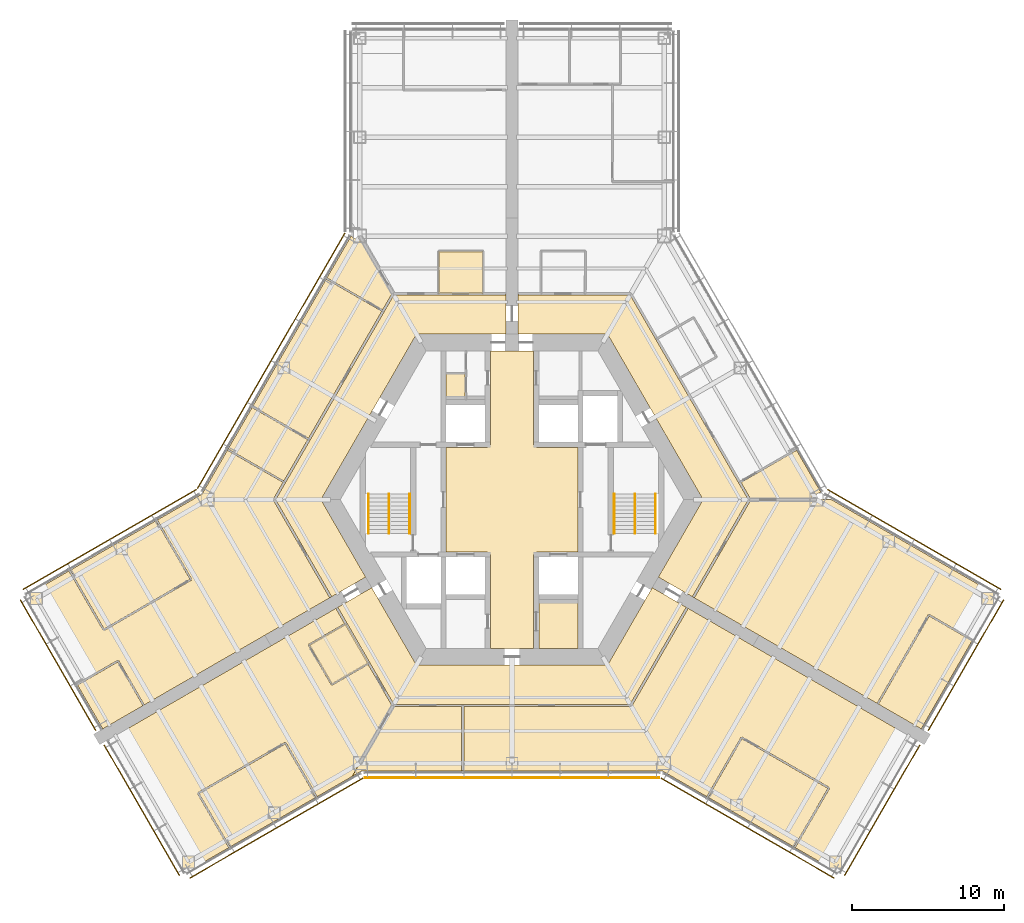
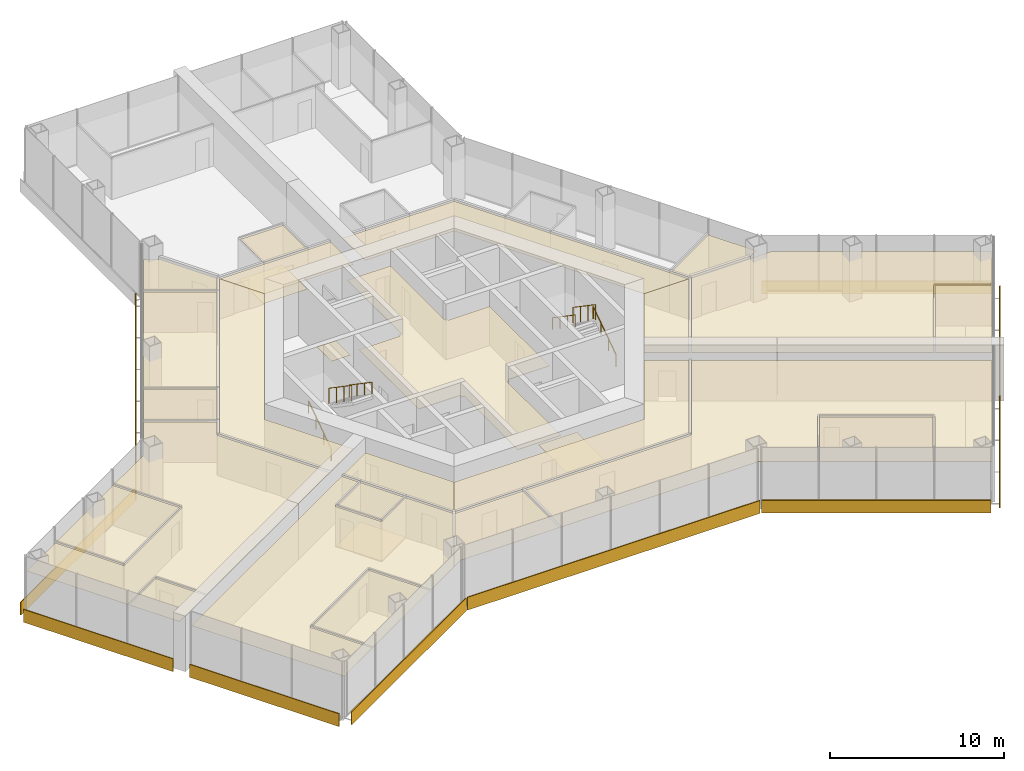
# One storey, part 17 of 18: 27 coverings, 10 shading devices, 6 railings.
"""IFC4 building model written with IfcOpenShell, lengths in metres."""

from ifc_helpers import new_model, si_unit, direction, frame, origin, origin_2d, place, context, subcontext, project, spatial, polyline, rectangle, circle, outline, extrude, material, layer, layer_set, type_object, element, save


model = new_model("IFC4")

# Units and contexts
model_context = context("Model", 3, precision=1e-05, world=origin(), true_north=direction((0.0, 1.0)))
body_context = subcontext(model_context, "Body", "Model", "MODEL_VIEW")
ifc_project = project(units=[si_unit("LENGTHUNIT", "METRE"), si_unit("AREAUNIT", "SQUARE_METRE"), si_unit("VOLUMEUNIT", "CUBIC_METRE"), si_unit("PLANEANGLEUNIT", "RADIAN"), si_unit("MASSUNIT", "GRAM", prefix="KILO")], contexts=[model_context])

# Site, building, storey
site_placement = place(None, origin())
site = spatial("IfcSite", under=ifc_project, at=site_placement, CompositionType="ELEMENT")
building_placement = place(site_placement, origin())
building = spatial("IfcBuilding", under=site, at=building_placement, Name="Kasaneha Research Tower", CompositionType="ELEMENT")
storey_placement = place(building_placement, frame((0.0, 0.0, 80.699951171875)))
storey = spatial("IfcBuildingStorey", under=building, at=storey_placement, Name="L20", CompositionType="ELEMENT", Elevation=80.699951171875)

# Covering
ifc_material_1 = material(Name="Aluminium panel ceiling", Category="aluminium")
ifc_layer_1 = layer(ifc_material_1, 0.0400390625)
ifc_layer_set_1 = layer_set([ifc_layer_1], Name="Lift lobby ceiling 40")
covering_type_1 = type_object("IfcCoveringType", Name="Lift lobby ceiling 40", PredefinedType="CEILING", material=ifc_layer_set_1)
covering_1_placement = place(storey_placement, frame((0.0, 0.0, 2.699951171875)))
element("IfcCovering", 1, at=covering_1_placement, inside=storey, type_object=covering_type_1, Name="Ceiling L20-01", PredefinedType="CEILING", context=body_context, shape_type="SweptSolid", body=[
    extrude(outline(polyline([(1.425048828125, 9.77490234375), (1.425048828125, 3.60009765625), (1.60009765625, 3.60009765625), (1.60009765625, 3.425048828125), (4.324951171875, 3.425048828125), (4.324951171875, -3.425048828125), (1.60009765625, -3.425048828125), (1.60009765625, -3.60009765625), (1.425048828125, -3.60009765625), (1.425048828125, -9.77490234375), (-1.425048828125, -9.77490234375), (-1.425048828125, -3.60009765625), (-1.60009765625, -3.60009765625), (-1.60009765625, -3.425048828125), (-4.324951171875, -3.425048828125), (-4.324951171875, 3.425048828125), (-1.60009765625, 3.425048828125), (-1.60009765625, 3.60009765625), (-1.425048828125, 3.60009765625), (-1.425048828125, 9.77490234375), (1.425048828125, 9.77490234375)])), origin(), (0.0, 0.0, 1.0), 0.0400390625),
])

# Railings
ifc_material_2 = material(Name="Steel", Category="steel")
railing_type_1 = type_object("IfcRailingType", Name="Stair balustrade 1100", PredefinedType="GUARDRAIL", material=ifc_material_2)
for number, where, name in (
    (2, (8.074951171875, 0.375, 2.12744140625), "Stair 1 balustrade L20"),
    (3, (-8.074951171875, 0.375, 2.12744140625), "Stair 2 balustrade L20"),
):
    element("IfcRailing", number, at=place(storey_placement, frame(where)), inside=storey, type_object=railing_type_1, Name=name, PredefinedType="GUARDRAIL", context=body_context, shape_type="SweptSolid", body=[
        extrude(circle(Radius=0.02392578125, at=origin_2d()), frame((0.0, 0.0, 1.076171875), z_axis=(0.0, -0.826240473404, 0.563317565952), x_axis=(1.0, 0.0, 0.0)), (0.0, 0.0, 1.0), 3.14697265625),
        extrude(circle(Radius=0.02099609375, at=origin_2d()), origin(), (0.0, 0.0, 1.0), 1.052001953125),
        extrude(circle(Radius=0.02099609375, at=origin_2d()), frame((0.0, -0.86669921875, 0.5908203125)), (0.0, 0.0, 1.0), 1.052001953125),
        extrude(circle(Radius=0.02099609375, at=origin_2d()), frame((0.0, -1.7333984375, 1.181884765625)), (0.0, 0.0, 1.0), 1.052001953125),
        extrude(circle(Radius=0.02099609375, at=origin_2d()), frame((0.0, -2.60009765625, 1.772705078125)), (0.0, 0.0, 1.0), 1.052001953125),
    ])
ifc_material_3 = material(Name="Steel", Category="steel")
railing_type_2 = type_object("IfcRailingType", Name="Stair handrail 850", PredefinedType="HANDRAIL", material=ifc_material_3)
railing_1_placement = place(storey_placement, frame((9.425048828125, -2.22509765625, 0.17724609375)))
element("IfcRailing", 4, at=railing_1_placement, inside=storey, type_object=railing_type_2, Name="Stair 1 handrail L20", PredefinedType="HANDRAIL", context=body_context, shape_type="SweptSolid", body=[
    extrude(circle(Radius=0.02392578125, at=origin_2d()), frame((0.0, 0.0, 0.826171875), z_axis=(0.0, 0.826240473404, 0.563317565952), x_axis=(-1.0, 0.0, 0.0)), (0.0, 0.0, 1.0), 3.14697265625),
    extrude(circle(Radius=0.02099609375, at=origin_2d()), origin(), (0.0, 0.0, 1.0), 0.802001953125),
    extrude(circle(Radius=0.02099609375, at=origin_2d()), frame((0.0, 0.86669921875, 0.5908203125)), (0.0, 0.0, 1.0), 0.802001953125),
    extrude(circle(Radius=0.02099609375, at=origin_2d()), frame((0.0, 1.7333984375, 1.181884765625)), (0.0, 0.0, 1.0), 0.802001953125),
    extrude(circle(Radius=0.02099609375, at=origin_2d()), frame((0.0, 2.60009765625, 1.772705078125)), (0.0, 0.0, 1.0), 0.802001953125),
])
railing_2_placement = place(storey_placement, frame((6.72509765625, 0.375, 2.12744140625)))
element("IfcRailing", 5, at=railing_2_placement, inside=storey, type_object=railing_type_2, Name="Stair 1 handrail L20", PredefinedType="HANDRAIL", context=body_context, shape_type="SweptSolid", body=[
    extrude(circle(Radius=0.02392578125, at=origin_2d()), frame((0.0, 0.0, 0.826171875), z_axis=(0.0, -0.826240473404, 0.563317565952), x_axis=(1.0, 0.0, 0.0)), (0.0, 0.0, 1.0), 3.14697265625),
    extrude(circle(Radius=0.02099609375, at=origin_2d()), origin(), (0.0, 0.0, 1.0), 0.802001953125),
    extrude(circle(Radius=0.02099609375, at=origin_2d()), frame((0.0, -0.86669921875, 0.5908203125)), (0.0, 0.0, 1.0), 0.802001953125),
    extrude(circle(Radius=0.02099609375, at=origin_2d()), frame((0.0, -1.7333984375, 1.181884765625)), (0.0, 0.0, 1.0), 0.802001953125),
    extrude(circle(Radius=0.02099609375, at=origin_2d()), frame((0.0, -2.60009765625, 1.772705078125)), (0.0, 0.0, 1.0), 0.802001953125),
])
railing_3_placement = place(storey_placement, frame((-9.425048828125, -2.22509765625, 0.17724609375)))
element("IfcRailing", 6, at=railing_3_placement, inside=storey, type_object=railing_type_2, Name="Stair 2 handrail L20", PredefinedType="HANDRAIL", context=body_context, shape_type="SweptSolid", body=[
    extrude(circle(Radius=0.02392578125, at=origin_2d()), frame((0.0, 0.0, 0.826171875), z_axis=(0.0, 0.826240473404, 0.563317565952), x_axis=(-1.0, 0.0, 0.0)), (0.0, 0.0, 1.0), 3.14697265625),
    extrude(circle(Radius=0.02099609375, at=origin_2d()), origin(), (0.0, 0.0, 1.0), 0.802001953125),
    extrude(circle(Radius=0.02099609375, at=origin_2d()), frame((0.0, 0.86669921875, 0.5908203125)), (0.0, 0.0, 1.0), 0.802001953125),
    extrude(circle(Radius=0.02099609375, at=origin_2d()), frame((0.0, 1.7333984375, 1.181884765625)), (0.0, 0.0, 1.0), 0.802001953125),
    extrude(circle(Radius=0.02099609375, at=origin_2d()), frame((0.0, 2.60009765625, 1.772705078125)), (0.0, 0.0, 1.0), 0.802001953125),
])
railing_4_placement = place(storey_placement, frame((-6.72509765625, 0.375, 2.12744140625)))
element("IfcRailing", 7, at=railing_4_placement, inside=storey, type_object=railing_type_2, Name="Stair 2 handrail L20", PredefinedType="HANDRAIL", context=body_context, shape_type="SweptSolid", body=[
    extrude(circle(Radius=0.02392578125, at=origin_2d()), frame((0.0, 0.0, 0.826171875), z_axis=(0.0, -0.826240473404, 0.563317565952), x_axis=(1.0, 0.0, 0.0)), (0.0, 0.0, 1.0), 3.14697265625),
    extrude(circle(Radius=0.02099609375, at=origin_2d()), origin(), (0.0, 0.0, 1.0), 0.802001953125),
    extrude(circle(Radius=0.02099609375, at=origin_2d()), frame((0.0, -0.86669921875, 0.5908203125)), (0.0, 0.0, 1.0), 0.802001953125),
    extrude(circle(Radius=0.02099609375, at=origin_2d()), frame((0.0, -1.7333984375, 1.181884765625)), (0.0, 0.0, 1.0), 0.802001953125),
    extrude(circle(Radius=0.02099609375, at=origin_2d()), frame((0.0, -2.60009765625, 1.772705078125)), (0.0, 0.0, 1.0), 0.802001953125),
])

# Coverings
ifc_material_4 = material(Name="Gypsum ceiling board", Category="gypsum")
ifc_layer_2 = layer(ifc_material_4, 0.02001953125)
ifc_layer_set_2 = layer_set([ifc_layer_2], Name="Suspended ceiling 20")
covering_type_2 = type_object("IfcCoveringType", Name="Suspended ceiling 20", PredefinedType="CEILING", material=ifc_layer_set_2)
covering_2_placement = place(storey_placement, frame((0.0, 0.0, 2.800048828125)))
element("IfcCovering", 8, at=covering_2_placement, inside=storey, type_object=covering_type_2, Name="Ceiling L20-24", PredefinedType="CEILING", context=body_context, shape_type="SweptSolid", body=[
    extrude(outline(polyline([(6.278564453125, 10.875), (0.39990234375, 10.875), (0.39990234375, 11.72509765625), (0.39990234375, 12.72509765625), (0.39990234375, 13.52490234375), (0.419921875, 13.52490234375), (0.419921875, 13.449951171875), (1.89501953125, 13.449951171875), (1.904541015625, 13.449951171875), (4.8125, 13.449951171875), (4.822021484375, 13.449951171875), (7.765380859375, 13.449951171875), (9.4501953125, 10.531494140625), (9.4501953125, 10.53173828125), (10.950439453125, 7.93310546875), (10.95068359375, 7.93310546875), (14.896728515625, 1.09814453125), (14.896728515625, 1.09814453125), (15.53076171875, 0.0), (12.557373046875, 0.0), (6.278564453125, 10.875)])), origin(), (0.0, 0.0, 1.0), 0.02001953125),
])
covering_3_placement = place(storey_placement, frame((0.0, 0.0, 2.800048828125)))
element("IfcCovering", 9, at=covering_3_placement, inside=storey, type_object=covering_type_2, Name="Ceiling L20-30", PredefinedType="CEILING", context=body_context, shape_type="SweptSolid", body=[
    extrude(outline(polyline([(19.41845703125, 0.0), (15.617431640625, 0.0), (15.605712890625, 0.02001953125), (15.670654296875, 0.0576171875), (15.051513671875, 1.1298828125), (18.687255859375, 3.234130859375), (18.662109375, 3.27734375), (18.679443359375, 3.287353515625), (20.28759765625, 0.501708984375), (19.41845703125, 0.0)])), origin(), (0.0, 0.0, 1.0), 0.02001953125),
])
covering_4_placement = place(storey_placement, frame((0.0, 0.0, 2.800048828125)))
element("IfcCovering", 10, at=covering_4_placement, inside=storey, type_object=covering_type_2, Name="Ceiling L20-32", PredefinedType="CEILING", context=body_context, shape_type="SweptSolid", body=[
    extrude(outline(polyline([(-0.39990234375, 11.72509765625), (-0.39990234375, 10.875), (-6.278564453125, 10.875), (-7.765380859375, 13.449951171875), (-7.765380859375, 13.449951171875), (-4.833984375, 13.449951171875), (-4.824462890625, 13.449951171875), (-1.904541015625, 13.449951171875), (-1.89501953125, 13.449951171875), (-0.419921875, 13.449951171875), (-0.419921875, 13.52490234375), (-0.39990234375, 13.52490234375), (-0.39990234375, 12.72509765625), (-0.39990234375, 11.72509765625)])), origin(), (0.0, 0.0, 1.0), 0.02001953125),
])
covering_5_placement = place(storey_placement, frame((0.0, 0.0, 2.800048828125)))
element("IfcCovering", 11, at=covering_5_placement, inside=storey, type_object=covering_type_2, Name="Ceiling L20-33", PredefinedType="CEILING", context=body_context, shape_type="SweptSolid", body=[
    extrude(outline(polyline([(-4.774658203125, 13.60009765625), (-4.77880859375, 16.27490234375), (-1.9501953125, 16.27490234375), (-1.954345703125, 13.60009765625), (-4.774658203125, 13.60009765625)])), origin(), (0.0, 0.0, 1.0), 0.02001953125),
])
covering_6_placement = place(storey_placement, frame((0.0, 0.0, 2.800048828125)))
element("IfcCovering", 12, at=covering_6_placement, inside=storey, type_object=covering_type_2, Name="Ceiling L20-36", PredefinedType="CEILING", context=body_context, shape_type="SweptSolid", body=[
    extrude(outline(polyline([(-12.557373046875, 0.0), (-9.617919921875, -5.091064453125), (-11.77685546875, -6.33740234375), (-11.9130859375, -6.416015625), (-11.923095703125, -6.398681640625), (-11.858154296875, -6.361328125), (-15.53076171875, 0.0), (-14.89697265625, 1.09765625), (-14.89697265625, 1.09765625), (-13.2734375, 3.90966796875), (-13.2734375, 3.90966796875), (-8.3994140625, 12.351806640625), (-8.3994140625, 12.351806640625), (-7.765380859375, 13.449951171875), (-6.278564453125, 10.875), (-12.557373046875, 0.0)])), origin(), (0.0, 0.0, 1.0), 0.02001953125),
])
covering_7_placement = place(storey_placement, frame((0.0, 0.0, 2.800048828125)))
element("IfcCovering", 13, at=covering_7_placement, inside=storey, type_object=covering_type_2, Name="Ceiling L20-37", PredefinedType="CEILING", context=body_context, shape_type="SweptSolid", body=[
    extrude(outline(polyline([(-18.679443359375, 3.287353515625), (-17.081298828125, 6.055419921875), (-13.42822265625, 3.94140625), (-14.9970703125, 1.22412109375), (-18.63720703125, 3.320556640625), (-18.662109375, 3.27734375), (-18.679443359375, 3.287353515625)])), origin(), (0.0, 0.0, 1.0), 0.02001953125),
])
covering_8_placement = place(storey_placement, frame((0.0, 0.0, 2.800048828125)))
element("IfcCovering", 14, at=covering_8_placement, inside=storey, type_object=covering_type_2, Name="Ceiling L20-38", PredefinedType="CEILING", context=body_context, shape_type="SweptSolid", body=[
    extrude(outline(polyline([(-23.34228515625, -1.352294921875), (-23.332275390625, -1.36962890625), (-23.37548828125, -1.39453125), (-21.160400390625, -5.231201171875), (-26.806640625, -8.490966796875), (-29.03173828125, -4.63720703125), (-23.34228515625, -1.352294921875)])), origin(), (0.0, 0.0, 1.0), 0.02001953125),
])
covering_9_placement = place(storey_placement, frame((0.0, 0.0, 2.800048828125)))
element("IfcCovering", 15, at=covering_9_placement, inside=storey, type_object=covering_type_2, Name="Ceiling L20-39", PredefinedType="CEILING", context=body_context, shape_type="SweptSolid", body=[
    extrude(outline(polyline([(-9.709228515625, 16.81689453125), (-7.80859375, 13.52490234375), (-7.8203125, 13.5048828125), (-7.88525390625, 13.54248046875), (-8.50439453125, 12.469970703125), (-12.16162109375, 14.576416015625), (-10.578369140625, 17.318603515625), (-9.709228515625, 16.81689453125)])), origin(), (0.0, 0.0, 1.0), 0.02001953125),
])
covering_10_placement = place(storey_placement, frame((0.0, 0.0, 2.800048828125)))
element("IfcCovering", 16, at=covering_10_placement, inside=storey, type_object=covering_type_2, Name="Ceiling L20-40", PredefinedType="CEILING", context=body_context, shape_type="SweptSolid", body=[
    extrude(outline(polyline([(-24.20654296875, -13.513916015625), (-26.891357421875, -15.063720703125), (-28.5498046875, -12.19140625), (-25.908203125, -10.66650390625), (-24.260009765625, -13.521484375), (-24.216796875, -13.49658203125), (-24.20654296875, -13.513916015625)])), origin(), (0.0, 0.0, 1.0), 0.02001953125),
])
covering_11_placement = place(storey_placement, frame((0.0, 0.0, 2.800048828125)))
element("IfcCovering", 17, at=covering_11_placement, inside=storey, type_object=covering_type_2, Name="Ceiling L20-41", PredefinedType="CEILING", context=body_context, shape_type="SweptSolid", body=[
    extrude(outline(polyline([(-25.89013671875, -10.597900390625), (-25.9150390625, -10.554931640625), (-28.599609375, -12.10498046875), (-31.94140625, -6.31689453125), (-29.118408203125, -4.68701171875), (-26.868408203125, -8.584228515625), (-26.8251953125, -8.559326171875), (-26.824951171875, -8.5595703125), (-26.82470703125, -8.5595703125), (-26.800048828125, -8.6025390625), (-21.067138671875, -5.292724609375), (-21.092041015625, -5.249755859375), (-21.092041015625, -5.249755859375), (-21.092041015625, -5.249267578125), (-21.048828125, -5.224365234375), (-23.288818359375, -1.344482421875), (-23.331787109375, -1.369384765625), (-23.341796875, -1.35205078125), (-20.365966796875, 0.365966796875), (-18.6796875, 3.286865234375), (-18.662353515625, 3.27685546875), (-18.68701171875, 3.23388671875), (-15.047119140625, 1.137451171875), (-15.68212890625, 0.03759765625), (-15.61767578125, 0.000244140625), (-15.617919921875, -0.000244140625), (-15.61767578125, -0.000244140625), (-15.68212890625, -0.03759765625), (-11.988037109375, -6.436279296875), (-11.92333984375, -6.39892578125), (-11.913330078125, -6.416259765625), (-14.747802734375, -8.052734375), (-24.206298828125, -13.513671875), (-24.21630859375, -13.496337890625), (-24.17333984375, -13.471435546875), (-25.8466796875, -10.5732421875), (-25.8896484375, -10.59814453125), (-25.889892578125, -10.59765625), (-25.89013671875, -10.597900390625)])), origin(), (0.0, 0.0, 1.0), 0.02001953125),
])
covering_12_placement = place(storey_placement, frame((0.0, 0.0, 2.800048828125)))
element("IfcCovering", 18, at=covering_12_placement, inside=storey, type_object=covering_type_2, Name="Ceiling L20-42", PredefinedType="CEILING", context=body_context, shape_type="SweptSolid", body=[
    extrude(outline(polyline([(-17.055908203125, 6.09912109375), (-12.186767578125, 14.53271484375), (-12.186767578125, 14.53271484375), (-12.211669921875, 14.489990234375), (-8.55419921875, 12.383544921875), (-13.37841796875, 4.028076171875), (-17.03125, 6.14208984375), (-17.055908203125, 6.09912109375), (-17.055908203125, 6.09912109375)])), origin(), (0.0, 0.0, 1.0), 0.02001953125),
])
covering_13_placement = place(storey_placement, frame((0.0, 0.0, 2.800048828125)))
element("IfcCovering", 19, at=covering_13_placement, inside=storey, type_object=covering_type_2, Name="Ceiling L20-43", PredefinedType="CEILING", context=body_context, shape_type="SweptSolid", body=[
    extrude(outline(polyline([(-7.765380859375, -13.449951171875), (-9.350341796875, -10.704833984375), (-9.350341796875, -10.704833984375), (-10.8505859375, -8.106201171875), (-10.8505859375, -8.106201171875), (-11.43798828125, -7.088623046875), (-11.5029296875, -7.126220703125), (-11.512939453125, -7.10888671875), (-9.218017578125, -5.783935546875), (-6.278564453125, -10.875), (-7.765380859375, -13.449951171875)])), origin(), (0.0, 0.0, 1.0), 0.02001953125),
])
covering_14_placement = place(storey_placement, frame((0.0, 0.0, 2.800048828125)))
element("IfcCovering", 20, at=covering_14_placement, inside=storey, type_object=covering_type_2, Name="Ceiling L20-44", PredefinedType="CEILING", context=body_context, shape_type="SweptSolid", body=[
    extrude(outline(polyline([(-10.95068359375, -8.232666015625), (-9.505126953125, -10.736572265625), (-11.819580078125, -12.077880859375), (-13.26953125, -9.56640625), (-10.95068359375, -8.232666015625)])), origin(), (0.0, 0.0, 1.0), 0.02001953125),
])
covering_15_placement = place(storey_placement, frame((0.0, 0.0, 2.800048828125)))
element("IfcCovering", 21, at=covering_15_placement, inside=storey, type_object=covering_type_2, Name="Ceiling L20-45", PredefinedType="CEILING", context=body_context, shape_type="SweptSolid", body=[
    extrude(outline(polyline([(-18.574951171875, -22.8486328125), (-18.5849609375, -22.831298828125), (-18.541748046875, -22.806396484375), (-20.556640625, -19.316162109375), (-14.910400390625, -16.056396484375), (-12.885498046875, -19.563720703125), (-12.84228515625, -19.538818359375), (-12.84228515625, -19.538818359375), (-18.574951171875, -22.8486328125)])), origin(), (0.0, 0.0, 1.0), 0.02001953125),
])
covering_16_placement = place(storey_placement, frame((0.0, 0.0, 2.800048828125)))
element("IfcCovering", 22, at=covering_16_placement, inside=storey, type_object=covering_type_2, Name="Ceiling L20-46", PredefinedType="CEILING", context=body_context, shape_type="SweptSolid", body=[
    extrude(outline(polyline([(-13.33837890625, -9.548095703125), (-13.338134765625, -9.54833984375), (-13.381103515625, -9.572998046875), (-11.881103515625, -12.171142578125), (-11.83837890625, -12.146484375), (-11.83837890625, -12.146484375), (-11.837890625, -12.146240234375), (-11.812744140625, -12.189453125), (-9.455078125, -10.8232421875), (-7.88525390625, -13.54248046875), (-7.820556640625, -13.505126953125), (-7.808837890625, -13.525390625), (-10.5, -18.1865234375), (-12.841796875, -19.53857421875), (-12.841796875, -19.53857421875), (-12.798828125, -19.513916015625), (-14.848876953125, -15.963134765625), (-14.89208984375, -15.988037109375), (-14.89208984375, -15.987548828125), (-14.892333984375, -15.98779296875), (-14.917236328125, -15.94482421875), (-20.64990234375, -19.254638671875), (-20.625244140625, -19.297607421875), (-20.625244140625, -19.297607421875), (-20.625, -19.2978515625), (-20.668212890625, -19.322998046875), (-18.62841796875, -22.856201171875), (-18.58544921875, -22.83154296875), (-18.575439453125, -22.848876953125), (-21.44140625, -24.50341796875), (-26.491455078125, -15.756591796875), (-11.513427734375, -7.109130859375), (-11.50341796875, -7.12646484375), (-11.56787109375, -7.163818359375), (-11.000732421875, -8.14599609375), (-13.36279296875, -9.504638671875), (-13.337890625, -9.5478515625), (-13.33837890625, -9.548095703125)])), origin(), (0.0, 0.0, 1.0), 0.02001953125),
])
covering_17_placement = place(storey_placement, frame((0.0, 0.0, 2.800048828125)))
element("IfcCovering", 23, at=covering_17_placement, inside=storey, type_object=covering_type_2, Name="Ceiling L20-47", PredefinedType="CEILING", context=body_context, shape_type="SweptSolid", body=[
    extrude(outline(polyline([(9.617919921875, -5.091064453125), (12.557373046875, 0.0), (15.53076171875, 0.0), (15.53076171875, 0.0), (11.858154296875, -6.361328125), (11.923095703125, -6.398681640625), (11.9130859375, -6.416015625), (11.77685546875, -6.33740234375), (9.617919921875, -5.091064453125)])), origin(), (0.0, 0.0, 1.0), 0.02001953125),
])
covering_18_placement = place(storey_placement, frame((0.0, 0.0, 2.800048828125)))
element("IfcCovering", 24, at=covering_18_placement, inside=storey, type_object=covering_type_2, Name="Ceiling L20-48", PredefinedType="CEILING", context=body_context, shape_type="SweptSolid", body=[
    extrude(outline(polyline([(24.033447265625, -13.413818359375), (24.04345703125, -13.396484375), (24.0869140625, -13.42138671875), (27.41845703125, -7.65087890625), (30.23291015625, -9.27587890625), (30.258056640625, -9.232666015625), (30.258056640625, -9.232666015625), (26.891357421875, -15.063720703125), (24.033447265625, -13.413818359375)])), origin(), (0.0, 0.0, 1.0), 0.02001953125),
])
covering_19_placement = place(storey_placement, frame((0.0, 0.0, 2.800048828125)))
element("IfcCovering", 25, at=covering_19_placement, inside=storey, type_object=covering_type_2, Name="Ceiling L20-49", PredefinedType="CEILING", context=body_context, shape_type="SweptSolid", body=[
    extrude(outline(polyline([(21.0, 0.0), (31.94140625, -6.31689453125), (30.25830078125, -9.232177734375), (30.25830078125, -9.232177734375), (30.282958984375, -9.189208984375), (27.425048828125, -7.539306640625), (27.400146484375, -7.58251953125), (27.399658203125, -7.582275390625), (27.399658203125, -7.582275390625), (27.356689453125, -7.5576171875), (24.000244140625, -13.37158203125), (24.04296875, -13.396240234375), (24.032958984375, -13.41357421875), (15.218994140625, -8.324951171875), (11.913330078125, -6.416259765625), (11.92333984375, -6.39892578125), (11.988037109375, -6.436279296875), (15.670654296875, -0.0576171875), (15.606201171875, -0.020263671875), (15.617919921875, 0.0), (21.0, 0.0)])), origin(), (0.0, 0.0, 1.0), 0.02001953125),
])
covering_20_placement = place(storey_placement, frame((0.0, 0.0, 2.800048828125)))
element("IfcCovering", 26, at=covering_20_placement, inside=storey, type_object=covering_type_2, Name="Ceiling L20-50", PredefinedType="CEILING", context=body_context, shape_type="SweptSolid", body=[
    extrude(outline(polyline([(-6.278564453125, -10.875), (6.278564453125, -10.875), (9.218017578125, -5.783935546875), (11.512939453125, -7.10888671875), (11.5029296875, -7.126220703125), (11.43798828125, -7.088623046875), (7.765380859375, -13.449951171875), (-3.241455078125, -13.449951171875), (-3.25146484375, -13.449951171875), (-7.765380859375, -13.449951171875), (-7.765380859375, -13.449951171875), (-6.278564453125, -10.875)])), origin(), (0.0, 0.0, 1.0), 0.02001953125),
])
covering_21_placement = place(storey_placement, frame((0.0, 0.0, 2.800048828125)))
element("IfcCovering", 27, at=covering_21_placement, inside=storey, type_object=covering_type_2, Name="Ceiling L20-51", PredefinedType="CEILING", context=body_context, shape_type="SweptSolid", body=[
    extrude(outline(polyline([(12.84228515625, -19.538818359375), (12.84228515625, -19.538818359375), (12.885498046875, -19.563720703125), (15.110595703125, -15.7099609375), (20.756591796875, -18.9697265625), (18.541748046875, -22.806396484375), (18.5849609375, -22.831298828125), (18.574951171875, -22.8486328125), (12.84228515625, -19.538818359375)])), origin(), (0.0, 0.0, 1.0), 0.02001953125),
])
covering_22_placement = place(storey_placement, frame((0.0, 0.0, 2.800048828125)))
element("IfcCovering", 28, at=covering_22_placement, inside=storey, type_object=covering_type_2, Name="Ceiling L20-52", PredefinedType="CEILING", context=body_context, shape_type="SweptSolid", body=[
    extrude(outline(polyline([(7.80908203125, -13.525146484375), (7.87353515625, -13.5625), (11.56787109375, -7.163818359375), (11.50341796875, -7.12646484375), (11.513427734375, -7.109130859375), (26.491455078125, -15.756591796875), (21.44140625, -24.50341796875), (18.575439453125, -22.848876953125), (18.58544921875, -22.83154296875), (18.62841796875, -22.856201171875), (20.868408203125, -18.9765625), (20.8251953125, -18.95166015625), (20.825439453125, -18.951171875), (20.8251953125, -18.951171875), (20.85009765625, -18.908203125), (15.1171875, -15.598388671875), (15.092529296875, -15.641357421875), (15.092529296875, -15.641357421875), (15.092041015625, -15.6416015625), (15.048828125, -15.61669921875), (12.798828125, -19.513916015625), (12.841796875, -19.53857421875), (12.841796875, -19.53857421875), (9.865966796875, -17.820556640625), (-3.246337890625, -17.820556640625), (-3.246337890625, -17.800537109375), (-3.17138671875, -17.800537109375), (-3.16650390625, -13.60009765625), (7.80859375, -13.60009765625), (7.80859375, -13.525390625), (7.808837890625, -13.525390625), (7.80908203125, -13.525146484375)])), origin(), (0.0, 0.0, 1.0), 0.02001953125),
])
covering_23_placement = place(storey_placement, frame((0.0, 0.0, 2.800048828125)))
element("IfcCovering", 29, at=covering_23_placement, inside=storey, type_object=covering_type_2, Name="Ceiling L20-53", PredefinedType="CEILING", context=body_context, shape_type="SweptSolid", body=[
    extrude(outline(polyline([(-7.808837890625, -13.525390625), (-7.78564453125, -13.525390625), (-7.78564453125, -13.60009765625), (-3.31640625, -13.60009765625), (-3.3212890625, -17.80029296875), (-3.246337890625, -17.800537109375), (-3.246337890625, -17.820556640625), (-9.865966796875, -17.820556640625), (-10.5, -18.1865234375), (-7.808837890625, -13.525390625)])), origin(), (0.0, 0.0, 1.0), 0.02001953125),
])

# Shading devices
ifc_material_5 = material(Name="Terracotta", Category="masonry")
ifc_layer_3 = layer(ifc_material_5, 0.06005859375)
ifc_layer_set_3 = layer_set([ifc_layer_3], Name="Terracotta baguette screen")
shading_device_type = type_object("IfcShadingDeviceType", Name="Terracotta baguette screen", PredefinedType="USERDEFINED", material=ifc_layer_set_3)
shading_device_1_placement = place(storey_placement, frame((-15.483642578125, -21.58349609375, -0.449951171875), z_axis=(0.0, 0.0, 1.0), x_axis=(0.866025411464, 0.499999986699, 0.0)))
element("IfcShadingDevice", 30, at=shading_device_1_placement, inside=storey, type_object=shading_device_type, Name="Baguette screen L20 01", ObjectType="TERRACOTTA BAGUETTE SCREEN", PredefinedType="USERDEFINED", context=body_context, shape_type="SweptSolid", body=[
    extrude(rectangle(XDim=13.13916015625, YDim=0.06005859375, at=origin_2d()), origin(), (0.0, 0.0, 1.0), 0.89990234375),
])
shading_device_2_placement = place(storey_placement, frame((0.0, -18.2705078125, -0.449951171875), z_axis=(0.0, 0.0, 1.0), x_axis=(1.0, 0.0, 0.0)))
element("IfcShadingDevice", 31, at=shading_device_2_placement, inside=storey, type_object=shading_device_type, Name="Baguette screen L20 02", ObjectType="TERRACOTTA BAGUETTE SCREEN", PredefinedType="USERDEFINED", context=body_context, shape_type="SweptSolid", body=[
    extrude(rectangle(XDim=19.37841796875, YDim=0.06005859375, at=origin_2d()), origin(), (0.0, 0.0, 1.0), 0.89990234375),
])
shading_device_3_placement = place(storey_placement, frame((15.483642578125, -21.58349609375, -0.449951171875), z_axis=(0.0, 0.0, 1.0), x_axis=(0.866025411464, -0.499999986699, 0.0)))
element("IfcShadingDevice", 32, at=shading_device_3_placement, inside=storey, type_object=shading_device_type, Name="Baguette screen L20 03", ObjectType="TERRACOTTA BAGUETTE SCREEN", PredefinedType="USERDEFINED", context=body_context, shape_type="SweptSolid", body=[
    extrude(rectangle(XDim=13.13916015625, YDim=0.06005859375, at=origin_2d()), origin(), (0.0, 0.0, 1.0), 0.89990234375),
])
for number, where, z_axis, x_axis, name in (
    (33, (24.3310546875, -20.3984375, -0.449951171875), (0.0, 0.0, 1.0), (0.500000011442, 0.866025397178, 0.0), "Baguette screen L20 04"),
    (34, (29.8310546875, -10.8720703125, -0.449951171875), (0.0, 0.0, 1.0), (0.500000011442, 0.866025397178, 0.0), "Baguette screen L20 05"),
):
    element("IfcShadingDevice", number, at=place(storey_placement, frame(where, z_axis=z_axis, x_axis=x_axis)), inside=storey, type_object=shading_device_type, Name=name, ObjectType="TERRACOTTA BAGUETTE SCREEN", PredefinedType="USERDEFINED", context=body_context, shape_type="SweptSolid", body=[
        extrude(rectangle(XDim=9.89990234375, YDim=0.06005859375, at=origin_2d()), origin(), (0.0, 0.0, 1.0), 0.89990234375),
    ])
shading_device_4_placement = place(storey_placement, frame((26.43359375, -2.617431640625, -0.449951171875), z_axis=(0.0, 0.0, 1.0), x_axis=(-0.866025411464, 0.499999986699, 0.0)))
element("IfcShadingDevice", 35, at=shading_device_4_placement, inside=storey, type_object=shading_device_type, Name="Baguette screen L20 06", ObjectType="TERRACOTTA BAGUETTE SCREEN", PredefinedType="USERDEFINED", context=body_context, shape_type="SweptSolid", body=[
    extrude(rectangle(XDim=13.13916015625, YDim=0.06005859375, at=origin_2d()), origin(), (0.0, 0.0, 1.0), 0.89990234375),
])
shading_device_5_placement = place(storey_placement, frame((-15.82275390625, 9.13525390625, -0.449951171875), z_axis=(0.0, 0.0, 1.0), x_axis=(-0.49999996188, -0.866025425793, 0.0)))
element("IfcShadingDevice", 36, at=shading_device_5_placement, inside=storey, type_object=shading_device_type, Name="Baguette screen L20 12", ObjectType="TERRACOTTA BAGUETTE SCREEN", PredefinedType="USERDEFINED", context=body_context, shape_type="SweptSolid", body=[
    extrude(rectangle(XDim=19.37841796875, YDim=0.06005859375, at=origin_2d()), origin(), (0.0, 0.0, 1.0), 0.89990234375),
])
shading_device_6_placement = place(storey_placement, frame((-26.43359375, -2.617431640625, -0.449951171875), z_axis=(0.0, 0.0, 1.0), x_axis=(-0.866025411464, -0.499999986699, 0.0)))
element("IfcShadingDevice", 37, at=shading_device_6_placement, inside=storey, type_object=shading_device_type, Name="Baguette screen L20 13", ObjectType="TERRACOTTA BAGUETTE SCREEN", PredefinedType="USERDEFINED", context=body_context, shape_type="SweptSolid", body=[
    extrude(rectangle(XDim=13.13916015625, YDim=0.06005859375, at=origin_2d()), origin(), (0.0, 0.0, 1.0), 0.89990234375),
])
for number, where, z_axis, x_axis, name in (
    (38, (-29.8310546875, -10.8720703125, -0.449951171875), (0.0, 0.0, 1.0), (0.500000011442, -0.866025397178, 0.0), "Baguette screen L20 14"),
    (39, (-24.3310546875, -20.3984375, -0.449951171875), (0.0, 0.0, 1.0), (0.500000011442, -0.866025397178, 0.0), "Baguette screen L20 15"),
):
    element("IfcShadingDevice", number, at=place(storey_placement, frame(where, z_axis=z_axis, x_axis=x_axis)), inside=storey, type_object=shading_device_type, Name=name, ObjectType="TERRACOTTA BAGUETTE SCREEN", PredefinedType="USERDEFINED", context=body_context, shape_type="SweptSolid", body=[
        extrude(rectangle(XDim=9.89990234375, YDim=0.06005859375, at=origin_2d()), origin(), (0.0, 0.0, 1.0), 0.89990234375),
    ])

# Coverings
ifc_material_6 = material(Name="Vinyl sheet flooring", Category="plastic")
ifc_layer_4 = layer(ifc_material_6, 0.0048828125)
ifc_layer_set_4 = layer_set([ifc_layer_4], Name="Wet room sheet flooring 5")
covering_type_3 = type_object("IfcCoveringType", Name="Wet room sheet flooring 5", PredefinedType="FLOORING", material=ifc_layer_set_4)
covering_24_placement = place(storey_placement, origin())
element("IfcCovering", 40, at=covering_24_placement, inside=storey, type_object=covering_type_3, Name="Floor finish L20-07", PredefinedType="FLOORING", context=body_context, shape_type="SweptSolid", body=[
    extrude(outline(polyline([(-4.324951171875, 6.574951171875), (-4.324951171875, 8.25), (-3.074951171875, 8.25), (-3.074951171875, 6.574951171875), (-4.324951171875, 6.574951171875)])), origin(), (0.0, 0.0, 1.0), 0.005126953125),
])
covering_25_placement = place(storey_placement, origin())
element("IfcCovering", 41, at=covering_25_placement, inside=storey, type_object=covering_type_3, Name="Floor finish L20-11", PredefinedType="FLOORING", context=body_context, shape_type="SweptSolid", body=[
    extrude(outline(polyline([(1.77490234375, -9.77490234375), (1.77490234375, -6.574951171875), (4.324951171875, -6.574951171875), (4.324951171875, -9.77490234375), (1.77490234375, -9.77490234375)])), origin(), (0.0, 0.0, 1.0), 0.005126953125),
])
covering_26_placement = place(storey_placement, origin())
element("IfcCovering", 42, at=covering_26_placement, inside=storey, type_object=covering_type_3, Name="Floor finish L20-33", PredefinedType="FLOORING", context=body_context, shape_type="SweptSolid", body=[
    extrude(outline(polyline([(-4.8291015625, 16.324951171875), (-1.89990234375, 16.324951171875), (-1.89990234375, 13.52490234375), (-4.8291015625, 13.52490234375), (-4.8291015625, 16.324951171875)])), origin(), (0.0, 0.0, 1.0), 0.005126953125),
])
covering_27_placement = place(storey_placement, origin())
element("IfcCovering", 43, at=covering_27_placement, inside=storey, type_object=covering_type_3, Name="Floor finish L20-44", PredefinedType="FLOORING", context=body_context, shape_type="SweptSolid", body=[
    extrude(outline(polyline([(-11.837890625, -12.146240234375), (-13.337890625, -9.548095703125), (-10.9130859375, -8.148193359375), (-9.4130859375, -10.746337890625), (-11.837890625, -12.146240234375)])), origin(), (0.0, 0.0, 1.0), 0.005126953125),
])

save(model, "model.ifc")
